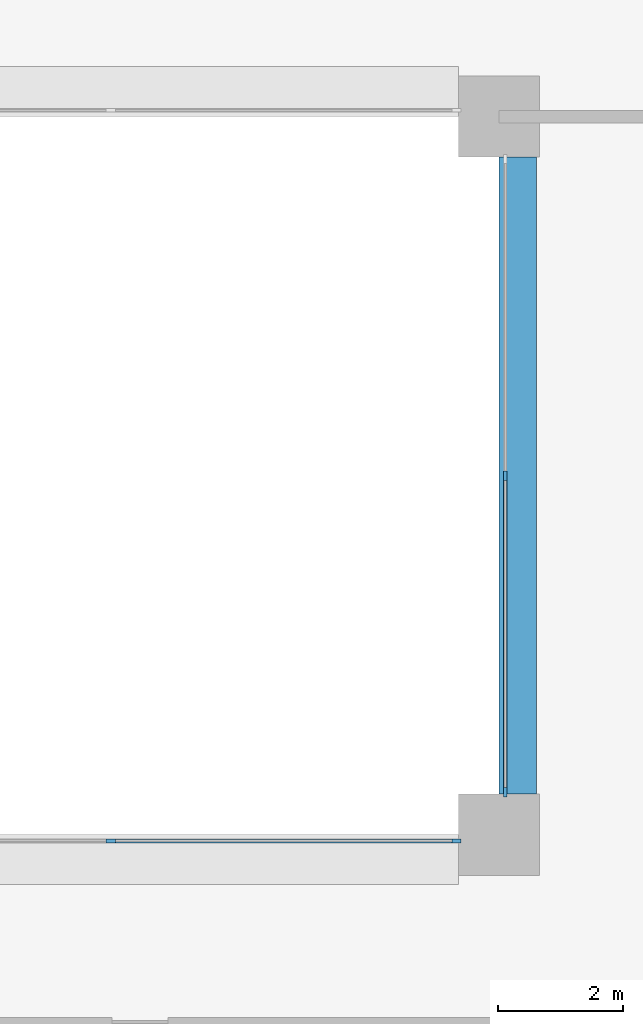
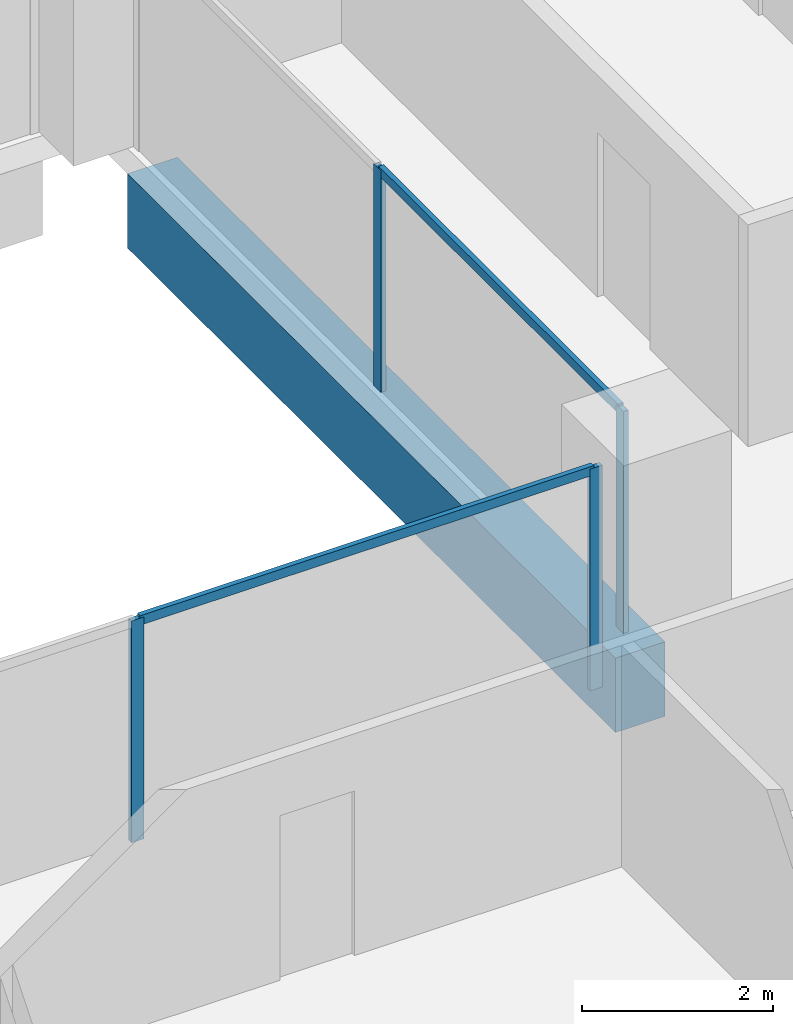
# One storey, part 4 of 17: 6 members, 1 beam, 2 elements without a shape of their own.
"""IFC4 building model written with IfcOpenShell, lengths in metres."""

import ifcopenshell
import ifcopenshell.guid

model = None  # the IFC model being written
_history = None  # IfcOwnerHistory: only IFC2X3 demands one
_inside = {}  # id of a spatial element -> (the spatial element, [elements in it])
_under = {}  # id of a project, library or spatial element -> (it, [spatial elements below it])
_declared = {}  # id of a project -> (the project, [libraries it declares])
_typed = {}  # id of a type object -> (the type object, [elements of that type])
_made_of = {}  # id of a material, layer set ... -> (it, [elements and type objects made of it])


def new_model(schema):
    """Start an empty IFC model of exactly this schema.

    Asked for "IFC4X3", IfcOpenShell would pick the latest addendum, in which some entities
    have other attributes; the version numbers below select the first issue.
    IFC2X3 requires an IfcOwnerHistory on every rooted entity: one is made here for all.
    """
    global model, _history
    if schema == "IFC4X3":
        model = ifcopenshell.file(schema_version=(4, 3, 0, 0))
    else:
        model = ifcopenshell.file(schema=schema)
    _inside.clear()
    _under.clear()
    _declared.clear()
    _typed.clear()
    _made_of.clear()
    _history = None
    if model.schema == "IFC2X3":
        org = make("IfcOrganization", Name="unknown")
        user = make(
            "IfcPersonAndOrganization",
            ThePerson=make("IfcPerson", FamilyName="unknown"),
            TheOrganization=org,
        )
        app = make(
            "IfcApplication",
            ApplicationDeveloper=org,
            Version="unknown",
            ApplicationFullName="unknown",
            ApplicationIdentifier="unknown",
        )
        _history = make(
            "IfcOwnerHistory",
            OwningUser=user,
            OwningApplication=app,
            ChangeAction="ADDED",
            CreationDate=0,
        )
    return model


def make(cls, **values):
    """One entity of the class cls with the attributes given. An attribute that is None is left unset."""
    return model.create_entity(
        cls, **{name: value for name, value in values.items() if value is not None}
    )


def rooted(cls, **values):
    """An entity with a GlobalId (a new one), such as an element, a storey or a relation."""
    return make(cls, GlobalId=ifcopenshell.guid.new(), OwnerHistory=_history, **values)


def si_unit(unit_type, name, prefix=None):
    """IfcSIUnit, for example si_unit("LENGTHUNIT", "METRE", prefix="MILLI")."""
    return make("IfcSIUnit", UnitType=unit_type, Prefix=prefix, Name=name)


def assignment(units):
    """IfcUnitAssignment: the units of a project."""
    return None if units is None else make("IfcUnitAssignment", Units=units)


def point(xyz):
    """IfcCartesianPoint."""
    return None if xyz is None else make("IfcCartesianPoint", Coordinates=xyz)


def direction(xyz):
    """IfcDirection."""
    return None if xyz is None else make("IfcDirection", DirectionRatios=xyz)


def frame(location, z_axis=None, x_axis=None):
    """IfcAxis2Placement3D, a coordinate frame: its origin and axes. An axis left out is left unset."""
    return make(
        "IfcAxis2Placement3D",
        Location=point(location),
        Axis=direction(z_axis),
        RefDirection=direction(x_axis),
    )


def frame_2d(location, x_axis=None):
    """IfcAxis2Placement2D, a coordinate frame in the plane: its origin and x axis."""
    return make(
        "IfcAxis2Placement2D", Location=point(location), RefDirection=direction(x_axis)
    )


def origin():
    """The frame at (0, 0, 0) with its axes left unset."""
    return frame((0.0, 0.0, 0.0))


def origin_2d():
    """The frame at (0, 0) in the plane with its x axis left unset."""
    return frame_2d((0.0, 0.0))


def place(relative_to, where):
    """IfcLocalPlacement: puts the frame where relative to a parent placement (None: the world)."""
    return make(
        "IfcLocalPlacement", PlacementRelTo=relative_to, RelativePlacement=where
    )


def context(
    kind, dimensions, precision=None, world=None, true_north=None, identifier=None
):
    """IfcGeometricRepresentationContext, for example the 3D "Model" context."""
    return make(
        "IfcGeometricRepresentationContext",
        ContextIdentifier=identifier,
        ContextType=kind,
        CoordinateSpaceDimension=dimensions,
        Precision=precision,
        WorldCoordinateSystem=world,
        TrueNorth=true_north,
    )


def subcontext(parent, identifier, kind, view, scale=None):
    """IfcGeometricRepresentationSubContext, for example "Body" below "Model"."""
    return make(
        "IfcGeometricRepresentationSubContext",
        ContextIdentifier=identifier,
        ContextType=kind,
        ParentContext=parent,
        TargetScale=scale,
        TargetView=view,
    )


def project(units=None, contexts=None):
    """IfcProject with its units and contexts."""
    return rooted(
        "IfcProject",
        Name="project",
        RepresentationContexts=contexts,
        UnitsInContext=assignment(units),
    )


def spatial(cls, under=None, at=None, **own):
    """A site, building, storey or space (cls), placed at a placement, below another one or the project."""
    s = rooted(cls, ObjectPlacement=at, **own)
    if under is not None:
        _under.setdefault(under.id(), (under, []))[1].append(s)
    return s


def profile(cls, at=None, kind="AREA", **sizes):
    """A parametric profile (cls). Its sizes go by their IFC names, for example OverallWidth=200.0."""
    return make(cls, ProfileType=kind, Position=at, **sizes)


def rectangle(**sizes):
    """IfcRectangleProfileDef."""
    return profile("IfcRectangleProfileDef", **sizes)


def extrude(swept, where, along, depth):
    """IfcExtrudedAreaSolid: the profile swept, set in the frame where, extruded along a direction by depth."""
    return make(
        "IfcExtrudedAreaSolid",
        SweptArea=swept,
        Position=where,
        ExtrudedDirection=direction(along),
        Depth=depth,
    )


def shape(context_of_items, identifier, shape_type, items):
    """IfcShapeRepresentation: the items that make up one representation, for example the "Body"."""
    return make(
        "IfcShapeRepresentation",
        ContextOfItems=context_of_items,
        RepresentationIdentifier=identifier,
        RepresentationType=shape_type,
        Items=items,
    )


def material(Name=None, Category=None):
    """IfcMaterial."""
    return make("IfcMaterial", Name=Name, Category=Category)


def layer(
    of_material, thickness, ventilated=None, Name=None, Category=None, Priority=None
):
    """IfcMaterialLayer: one layer of a wall or slab, of a material (None: an air gap)."""
    return make(
        "IfcMaterialLayer",
        Material=of_material,
        LayerThickness=thickness,
        IsVentilated=ventilated,
        Name=Name,
        Category=Category,
        Priority=Priority,
    )


def layer_set(layers, Name=None):
    """IfcMaterialLayerSet."""
    return make("IfcMaterialLayerSet", MaterialLayers=layers, LayerSetName=Name)


def material_profile(
    of_material, cross_section, Name=None, Category=None, Priority=None
):
    """IfcMaterialProfile: a cross section and its material."""
    return make(
        "IfcMaterialProfile",
        Name=Name,
        Material=of_material,
        Profile=cross_section,
        Priority=Priority,
        Category=Category,
    )


def profile_set(profiles, Name=None, composite=None):
    """IfcMaterialProfileSet."""
    return make(
        "IfcMaterialProfileSet",
        Name=Name,
        MaterialProfiles=profiles,
        CompositeProfile=composite,
    )


def made_of(thing, what):
    """Note that an element or type object is made of a material, layer set ...; save() writes the relation."""
    if what is not None:
        _made_of.setdefault(what.id(), (what, []))[1].append(thing)
    return thing


def type_object(cls, material=None, **own):
    """A type object (cls), such as IfcWallType, which elements share."""
    return made_of(rooted(cls, **own), material)


def element(
    cls,
    number,
    at=None,
    inside=None,
    cuts=None,
    type_object=None,
    material=None,
    context=None,
    identifier="Body",
    shape_type=None,
    held_by="IfcProductDefinitionShape",
    body=None,
    shapes=None,
    **own,
):
    """One element of the class cls, such as IfcWall. Its Tag is "e" and its number.

    at: its placement. inside: the storey or other place that contains it. cuts: it is an
    opening in that element (IfcRelVoidsElement). A single representation is given by context,
    identifier, shape_type and body (its items); several are given by shapes. held_by: the class
    of the entity that holds the representations. save() writes the other relations.
    """
    e = rooted(cls, Tag="e%d" % number, ObjectPlacement=at, **own)
    if body is not None:
        shapes = [shape(context, identifier, shape_type, body)]
    if shapes is not None:
        e.Representation = make(held_by, Representations=shapes)
    if inside is not None:
        _inside.setdefault(inside.id(), (inside, []))[1].append(e)
    if cuts is not None:
        rooted(
            "IfcRelVoidsElement", RelatingBuildingElement=cuts, RelatedOpeningElement=e
        )
    if type_object is not None:
        _typed.setdefault(type_object.id(), (type_object, []))[1].append(e)
    return made_of(e, material)


def aggregate(whole, parts):
    """IfcRelAggregates: a whole, such as a stair, and the parts it consists of."""
    return rooted("IfcRelAggregates", RelatingObject=whole, RelatedObjects=parts)


def save(model, path):
    """Write the relations noted so far, then the file.

    IfcRelAggregates (storeys below a building ...), IfcRelContainedInSpatialStructure (elements
    in a storey), IfcRelDefinesByType, IfcRelAssociatesMaterial and IfcRelDeclares: one each for
    every whole, place, type object, material and project.
    """
    for whole, parts in _under.values():
        aggregate(whole, parts)
    for where, things in _inside.values():
        rooted(
            "IfcRelContainedInSpatialStructure",
            RelatedElements=things,
            RelatingStructure=where,
        )
    for kind, things in _typed.values():
        rooted("IfcRelDefinesByType", RelatedObjects=things, RelatingType=kind)
    for what, things in _made_of.values():
        rooted("IfcRelAssociatesMaterial", RelatedObjects=things, RelatingMaterial=what)
    for by, libraries in _declared.values():
        rooted("IfcRelDeclares", RelatingContext=by, RelatedDefinitions=libraries)
    model.write(path)


model = new_model("IFC4")

# Units and contexts
model_context = context("Model", 3, precision=1e-05, world=origin(), true_north=direction((0.0, 1.0)))
body_context = subcontext(model_context, "Body", "Model", "MODEL_VIEW")
ifc_project = project(units=[si_unit("LENGTHUNIT", "METRE"), si_unit("AREAUNIT", "SQUARE_METRE"), si_unit("VOLUMEUNIT", "CUBIC_METRE"), si_unit("PLANEANGLEUNIT", "RADIAN"), si_unit("MASSUNIT", "GRAM", prefix="KILO")], contexts=[model_context])

# Site, building, storey
site_placement = place(None, origin())
site = spatial("IfcSite", under=ifc_project, at=site_placement, CompositionType="ELEMENT")
building_placement = place(site_placement, origin())
building = spatial("IfcBuilding", under=site, at=building_placement, Name="Brigalow Station Residences", CompositionType="ELEMENT")
storey_placement = place(building_placement, frame((0.0, 0.0, 111.89990234375)))
storey = spatial("IfcBuildingStorey", under=building, at=storey_placement, Name="L32", CompositionType="ELEMENT", Elevation=111.89990234375)

# Beam
ifc_material_1 = material(Name="Concrete C65", Category="concrete")
ifc_material_profile_1 = material_profile(ifc_material_1, rectangle(XDim=0.60009765625, YDim=0.949951171875, at=origin_2d()), Name="RC600x950")
ifc_profile_set_1 = profile_set([ifc_material_profile_1], Name="Concrete C65")
beam_type = type_object("IfcBeamType", Name="ATRIUM EDGE GIRDER 600x950 C65", PredefinedType="BEAM", material=ifc_profile_set_1)
beam_placement = place(storey_placement, frame((45.300048828125, 24.64990234375, -0.794921875), z_axis=(0.0, 1.0, 0.0), x_axis=(-1.0, 0.0, 0.0)))
element("IfcBeam", 1, at=beam_placement, inside=storey, type_object=beam_type, Name="ATRIUM EDGE GIRDER 5 L32", PredefinedType="BEAM", context=body_context, shape_type="SweptSolid", body=[
    extrude(rectangle(XDim=0.60009765625, YDim=0.949951171875, at=origin_2d()), origin(), (0.0, 0.0, 1.0), 10.2001953125),
])

# Curtain wall, members
ifc_material_2 = material(Name="Aluminium", Category="aluminium")
ifc_layer = layer(ifc_material_2, 0.14990234375)
ifc_layer_set = layer_set([ifc_layer], Name="ATRIUM FIRE-RATED GLAZING CURTAIN WALL")
curtain_wall_type = type_object("IfcCurtainWallType", Name="ATRIUM FIRE-RATED GLAZING CURTAIN WALL", PredefinedType="NOTDEFINED", material=ifc_layer_set)
curtain_wall_1_placement = place(storey_placement, origin())
curtain_wall_1 = element("IfcCurtainWall", 2, at=curtain_wall_1_placement, inside=storey, type_object=curtain_wall_type, Name="L32/cw/atrium-S", PredefinedType="NOTDEFINED")
ifc_material_3 = material(Name="Aluminium", Category="aluminium")
ifc_material_profile_2 = material_profile(ifc_material_3, rectangle(XDim=0.06005859375, YDim=0.14990234375, at=origin_2d()), Name="ATRIUM FIRE-RATED GLAZING MULLION 60x150")
ifc_profile_set_2 = profile_set([ifc_material_profile_2], Name="Aluminium")
member_type_1 = type_object("IfcMemberType", Name="ATRIUM FIRE-RATED GLAZING MULLION 60x150", PredefinedType="MULLION", material=ifc_profile_set_2)
member_1_placement = place(storey_placement, frame((38.783203125, 23.89990234375, 0.0), z_axis=(0.0, 0.0, 1.0), x_axis=(0.0, 1.0, 0.0)))
member_1 = element("IfcMember", 3, at=member_1_placement, type_object=member_type_1, Name="L32/cw/atrium-S/M02", PredefinedType="MULLION", context=body_context, shape_type="SweptSolid", body=[
    extrude(rectangle(XDim=0.06005859375, YDim=0.14990234375, at=origin_2d()), origin(), (0.0, 0.0, 1.0), 2.830078125),
])
member_2_placement = place(storey_placement, frame((44.320068359375, 23.89990234375, 0.0), z_axis=(0.0, 0.0, 1.0), x_axis=(0.0, 1.0, 0.0)))
member_2 = element("IfcMember", 4, at=member_2_placement, type_object=member_type_1, Name="L32/cw/atrium-S/M03", PredefinedType="MULLION", context=body_context, shape_type="SweptSolid", body=[
    extrude(rectangle(XDim=0.06005859375, YDim=0.14990234375, at=origin_2d()), origin(), (0.0, 0.0, 1.0), 2.830078125),
])

curtain_wall_2_placement = place(storey_placement, origin())
curtain_wall_2 = element("IfcCurtainWall", 5, at=curtain_wall_2_placement, inside=storey, type_object=curtain_wall_type, Name="L32/cw/atrium-E", PredefinedType="NOTDEFINED")
member_3_placement = place(storey_placement, frame((45.10009765625, 24.679931640625, 0.0), z_axis=(0.0, 0.0, 1.0), x_axis=(-1.0, 0.0, 0.0)))
member_3 = element("IfcMember", 6, at=member_3_placement, type_object=member_type_1, Name="L32/cw/atrium-E/M00", PredefinedType="MULLION", context=body_context, shape_type="SweptSolid", body=[
    extrude(rectangle(XDim=0.06005859375, YDim=0.14990234375, at=origin_2d()), origin(), (0.0, 0.0, 1.0), 2.830078125),
])
member_4_placement = place(storey_placement, frame((45.10009765625, 29.75, 0.0), z_axis=(0.0, 0.0, 1.0), x_axis=(-1.0, 0.0, 0.0)))
member_4 = element("IfcMember", 7, at=member_4_placement, type_object=member_type_1, Name="L32/cw/atrium-E/M01", PredefinedType="MULLION", context=body_context, shape_type="SweptSolid", body=[
    extrude(rectangle(XDim=0.06005859375, YDim=0.14990234375, at=origin_2d()), origin(), (0.0, 0.0, 1.0), 2.830078125),
])

# Member
ifc_material_4 = material(Name="Aluminium", Category="aluminium")
ifc_material_profile_3 = material_profile(ifc_material_4, rectangle(XDim=0.06005859375, YDim=0.1201171875, at=origin_2d()), Name="ATRIUM FIRE-RATED GLAZING TRANSOM 60x120")
ifc_profile_set_3 = profile_set([ifc_material_profile_3], Name="Aluminium")
member_type_2 = type_object("IfcMemberType", Name="ATRIUM FIRE-RATED GLAZING TRANSOM 60x120", PredefinedType="USERDEFINED", material=ifc_profile_set_3)
member_5_placement = place(storey_placement, frame((38.813232421875, 23.89990234375, 2.800048828125), z_axis=(1.0, 0.0, 0.0), x_axis=(0.0, 1.0, 0.0)))
member_5 = element("IfcMember", 8, at=member_5_placement, type_object=member_type_2, Name="L32/cw/atrium-S/T02-00", ObjectType="TRANSOM", PredefinedType="USERDEFINED", context=body_context, shape_type="SweptSolid", body=[
    extrude(rectangle(XDim=0.06005859375, YDim=0.1201171875, at=origin_2d()), origin(), (0.0, 0.0, 1.0), 5.476806640625),
])

aggregate(curtain_wall_1, [member_1, member_2, member_5])

member_6_placement = place(storey_placement, frame((45.10009765625, 24.7099609375, 2.800048828125), z_axis=(0.0, 1.0, 0.0), x_axis=(-1.0, 0.0, 0.0)))
member_6 = element("IfcMember", 9, at=member_6_placement, type_object=member_type_2, Name="L32/cw/atrium-E/T00-00", ObjectType="TRANSOM", PredefinedType="USERDEFINED", context=body_context, shape_type="SweptSolid", body=[
    extrude(rectangle(XDim=0.06005859375, YDim=0.1201171875, at=origin_2d()), origin(), (0.0, 0.0, 1.0), 5.010009765625),
])

aggregate(curtain_wall_2, [member_3, member_4, member_6])

save(model, "model.ifc")
